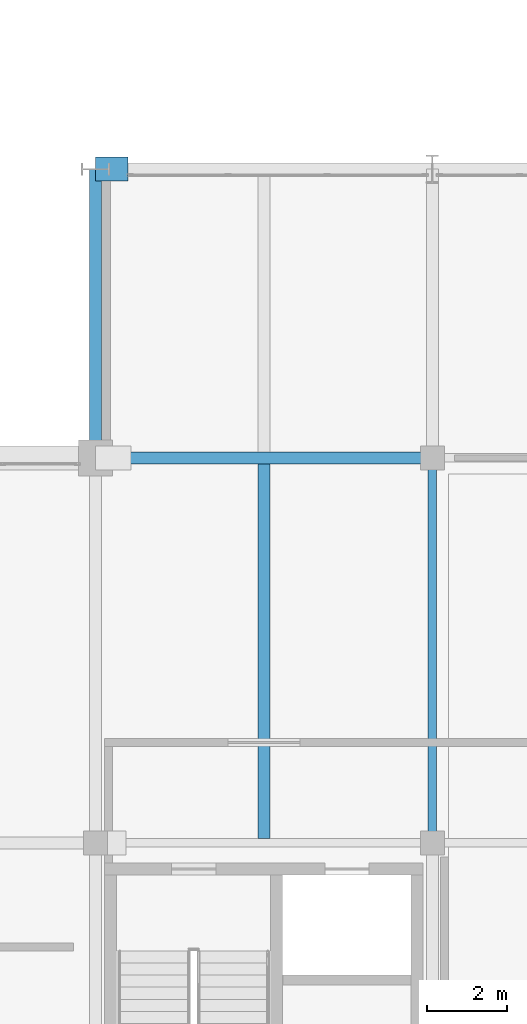
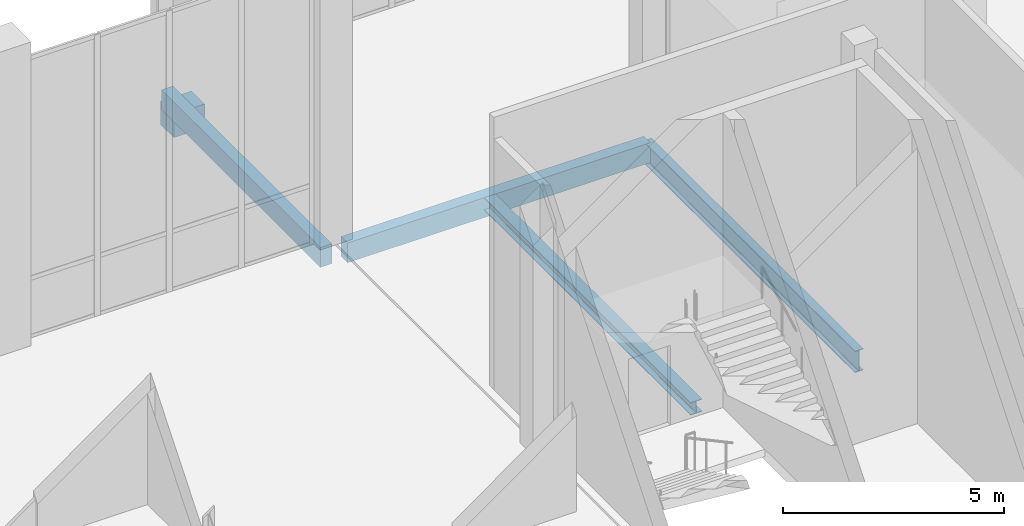
# One storey, part 32 of 131: 5 beams.
"""IFC4 building model written with IfcOpenShell, lengths in metres."""

from ifc_helpers import new_model, si_unit, direction, frame, origin, origin_2d, place, context, subcontext, project, spatial, rectangle, i_section, extrude, material, material_profile, profile_set, type_object, element, save


model = new_model("IFC4")

# Units and contexts
model_context = context("Model", 3, precision=1e-05, world=origin(), true_north=direction((0.0, 1.0)))
body_context = subcontext(model_context, "Body", "Model", "MODEL_VIEW")
ifc_project = project(units=[si_unit("LENGTHUNIT", "METRE"), si_unit("AREAUNIT", "SQUARE_METRE"), si_unit("VOLUMEUNIT", "CUBIC_METRE"), si_unit("PLANEANGLEUNIT", "RADIAN"), si_unit("MASSUNIT", "GRAM", prefix="KILO")], contexts=[model_context])

# Site, building, storey
site_placement = place(None, origin())
site = spatial("IfcSite", under=ifc_project, at=site_placement, CompositionType="ELEMENT")
building_placement = place(site_placement, origin())
building = spatial("IfcBuilding", under=site, at=building_placement, Name="Veltarok Museum of Natural Sciences", CompositionType="ELEMENT")
storey_placement = place(building_placement, origin())
storey = spatial("IfcBuildingStorey", under=building, at=storey_placement, Name="L00", CompositionType="ELEMENT", Elevation=0.0)

# Beams
ifc_material_1 = material(Name="Precast concrete C40/50", Category="concrete")
ifc_material_profile_1 = material_profile(ifc_material_1, rectangle(XDim=0.300048828125, YDim=0.550048828125, at=origin_2d()), Name="RC 300x550")
ifc_profile_set_1 = profile_set([ifc_material_profile_1], Name="Precast concrete C40/50")
beam_type_1 = type_object("IfcBeamType", Name="East Wing Precast Spandrel RC 300x550", PredefinedType="SPANDREL", material=ifc_profile_set_1)
beam_1_placement = place(storey_placement, frame((107.675048828125, 19.199951171875, -0.574951171875), z_axis=(1.0, 0.0, 0.0), x_axis=(0.0, 1.0, 0.0)))
element("IfcBeam", 1, at=beam_1_placement, inside=storey, type_object=beam_type_1, Name="Beam BM-SP02 L00 13-14/C", PredefinedType="SPANDREL", context=body_context, shape_type="SweptSolid", body=[
    extrude(rectangle(XDim=0.300048828125, YDim=0.550048828125, at=origin_2d()), origin(), (0.0, 0.0, 1.0), 7.925048828125),
])
beam_2_placement = place(storey_placement, frame((107.199951171875, 19.199951171875, -0.574951171875), z_axis=(0.0, 1.0, 0.0), x_axis=(-1.0, 0.0, 0.0)))
element("IfcBeam", 2, at=beam_2_placement, inside=storey, type_object=beam_type_1, Name="Beam BM-SP02 L00 13/C-D", PredefinedType="SPANDREL", context=body_context, shape_type="SweptSolid", body=[
    extrude(rectangle(XDim=0.300048828125, YDim=0.550048828125, at=origin_2d()), origin(), (0.0, 0.0, 1.0), 7.199951171875),
])
ifc_material_2 = material(Name="Steel S355J2", Category="steel")
ifc_material_profile_2 = material_profile(ifc_material_2, i_section(OverallWidth=0.300048828125, OverallDepth=0.35009765625, WebThickness=0.010009765625, FlangeThickness=0.017578125, FilletRadius=0.027099609375, at=origin_2d()), Name="HEA 360")
ifc_profile_set_2 = profile_set([ifc_material_profile_2], Name="Steel S355J2")
beam_type_2 = type_object("IfcBeamType", Name="Long-Span Gallery Joist HEA 360", PredefinedType="JOIST", material=ifc_profile_set_2)
beam_3_placement = place(storey_placement, frame((111.39990234375, 9.702880859375, -0.47509765625), z_axis=(0.0, 1.0, 0.0), x_axis=(-1.0, 0.0, 0.0)))
element("IfcBeam", 3, at=beam_3_placement, inside=storey, type_object=beam_type_2, Name="Secondary Joist BM-J07 L00 13-14/B-C.1", PredefinedType="JOIST", context=body_context, shape_type="SweptSolid", body=[
    extrude(i_section(OverallWidth=0.300048828125, OverallDepth=0.35009765625, WebThickness=0.010009765625, FlangeThickness=0.017578125, FilletRadius=0.027099609375, at=origin_2d()), origin(), (0.0, 0.0, 1.0), 9.34912109375),
])
ifc_material_3 = material(Name="Concrete C40/50", Category="concrete")
ifc_material_profile_3 = material_profile(ifc_material_3, rectangle(XDim=0.60009765625, YDim=0.64990234375, at=origin_2d()), Name="RC 600x650")
ifc_profile_set_3 = profile_set([ifc_material_profile_3], Name="Concrete C40/50")
beam_type_3 = type_object("IfcBeamType", Name="Movement Joint Sliding Corbel RC 600x650", PredefinedType="BEAM", material=ifc_profile_set_3)
beam_4_placement = place(storey_placement, frame((107.199951171875, 26.39990234375, -1.175048828125), z_axis=(1.0, 0.0, 0.0), x_axis=(0.0, 1.0, 0.0)))
element("IfcBeam", 4, at=beam_4_placement, inside=storey, type_object=beam_type_3, Name="Movement Joint Corbel L00 13/D", PredefinedType="BEAM", context=body_context, shape_type="SweptSolid", body=[
    extrude(rectangle(XDim=0.60009765625, YDim=0.64990234375, at=origin_2d()), origin(), (0.0, 0.0, 1.0), 0.81005859375),
])
ifc_material_profile_4 = material_profile(ifc_material_2, i_section(OverallWidth=0.219970703125, OverallDepth=0.60009765625, WebThickness=0.011962890625, FlangeThickness=0.01904296875, FilletRadius=0.02392578125, at=origin_2d()), Name="IPE 600")
ifc_profile_set_4 = profile_set([ifc_material_profile_4], Name="Steel S355J2")
beam_type_4 = type_object("IfcBeamType", Name="Primary Museum Girder IPE 600", PredefinedType="BEAM", material=ifc_profile_set_4)
beam_5_placement = place(storey_placement, frame((115.60009765625, 9.60009765625, -0.60009765625), z_axis=(0.0, 1.0, 0.0), x_axis=(-1.0, 0.0, 0.0)))
element("IfcBeam", 5, at=beam_5_placement, inside=storey, type_object=beam_type_4, Name="Beam BM-G02 L00 14/B-C", PredefinedType="BEAM", context=body_context, shape_type="SweptSolid", body=[
    extrude(i_section(OverallWidth=0.219970703125, OverallDepth=0.60009765625, WebThickness=0.011962890625, FlangeThickness=0.01904296875, FilletRadius=0.02392578125, at=origin_2d()), origin(), (0.0, 0.0, 1.0), 9.599853515625),
])

save(model, "model.ifc")
